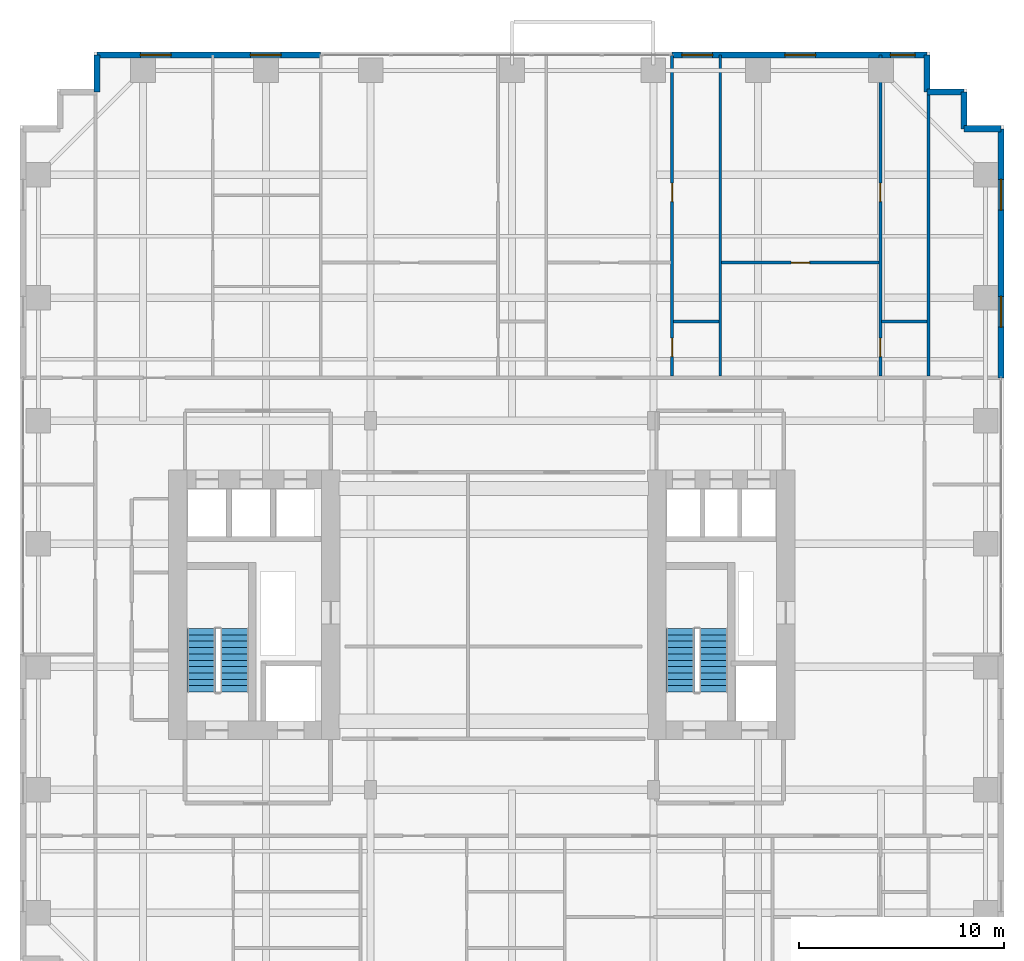
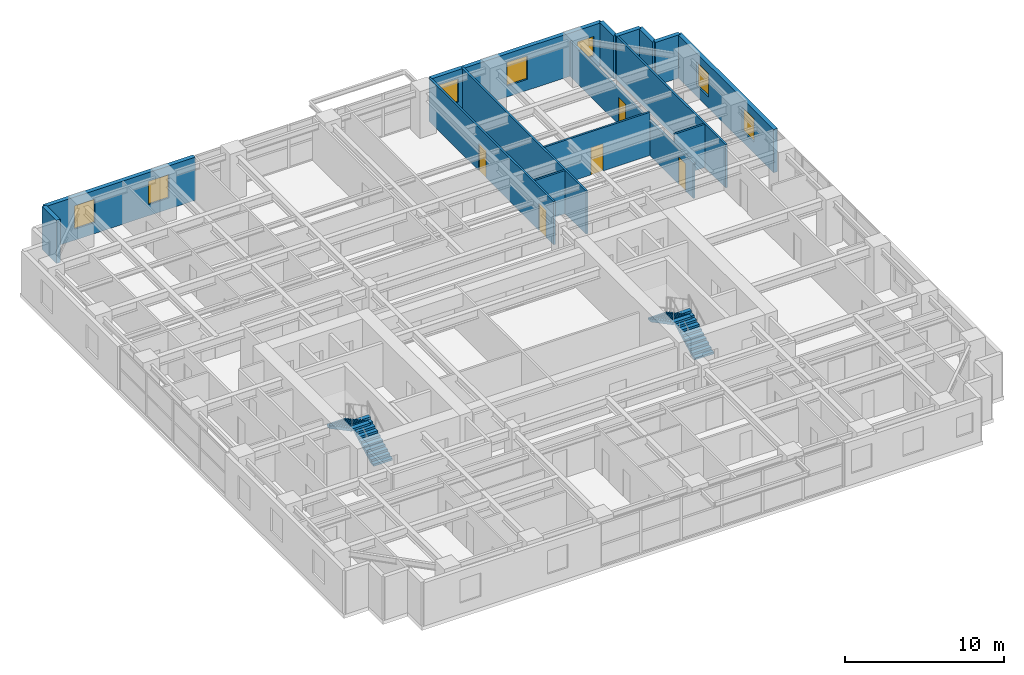
# One storey, part 23 of 24: 15 walls, 7 windows, 5 doors, 4 stair flights, 12 openings, 2 elements without a shape of their own.
"""IFC4 building model written with IfcOpenShell, lengths in metres."""

from ifc_helpers import new_model, si_unit, direction, frame, frame_2d, origin, place, context, subcontext, project, spatial, polyline, rectangle, outline, extrude, source, transform, mapped, material, layer, layer_set, type_object, element, fill, aggregate, save


model = new_model("IFC4")

# Units and contexts
model_context = context("Model", 3, precision=1e-05, world=origin(), true_north=direction((0.0, 1.0)))
body_context = subcontext(model_context, "Body", "Model", "MODEL_VIEW")
ifc_project = project(units=[si_unit("LENGTHUNIT", "METRE"), si_unit("AREAUNIT", "SQUARE_METRE"), si_unit("VOLUMEUNIT", "CUBIC_METRE"), si_unit("PLANEANGLEUNIT", "RADIAN"), si_unit("MASSUNIT", "GRAM", prefix="KILO")], contexts=[model_context])

# Site, building, storey
site_placement = place(None, origin())
site = spatial("IfcSite", under=ifc_project, at=site_placement, CompositionType="ELEMENT")
building_placement = place(site_placement, origin())
building = spatial("IfcBuilding", under=site, at=building_placement, Name="Khoralis Quay Care Tower", CompositionType="ELEMENT")
storey_placement = place(building_placement, frame((0.0, 0.0, 54.89990234375)))
storey = spatial("IfcBuildingStorey", under=building, at=storey_placement, Name="L14", CompositionType="ELEMENT", Elevation=54.89990234375)

# Wall, openings, windows
ifc_material_1 = material(Name="Precast concrete C45/55", Category="concrete")
ifc_layer_1 = layer(ifc_material_1, 0.300048828125)
ifc_layer_set_1 = layer_set([ifc_layer_1], Name="Precast concrete C45/55")
wall_type_1 = type_object("IfcWallType", Name="WL-EXT-REF-300", PredefinedType="SOLIDWALL", material=ifc_layer_set_1)
wall_1_placement = place(storey_placement, frame((47.85009765625, 32.10009765625, 0.0), z_axis=(0.0, 0.0, 1.0), x_axis=(0.0, 1.0, 0.0)))
wall_1 = element("IfcWall", 1, at=wall_1_placement, inside=storey, type_object=wall_type_1, Name="L14 External Facade Wall WL-EXT-L14-P1-E5B", PredefinedType="SOLIDWALL", context=body_context, shape_type="SweptSolid", body=[
    extrude(rectangle(XDim=12.14990234375, YDim=0.300048828125, at=frame_2d((6.074951171875, 0.0))), origin(), (0.0, 0.0, 1.0), 3.320068359375),
])
opening_1_placement = place(wall_1_placement, frame((2.467529296875, 0.0, 0.85009765625)))
opening_1 = element("IfcOpeningElement", 2, at=opening_1_placement, cuts=wall_1, Name="Opening W3", PredefinedType="OPENING", context=body_context, shape_type="SweptSolid", body=[
    extrude(rectangle(XDim=1.5, YDim=1.800048828125, at=frame_2d((0.75, 0.89990234375))), frame((0.0, 0.16015625, 0.0), z_axis=(0.0, -1.0, 0.0), x_axis=(1.0, 0.0, 0.0)), (0.0, 0.0, 1.0), 0.320068359375),
])
opening_2_placement = place(wall_1_placement, frame((8.1826171875, 0.0, 0.85009765625)))
opening_2 = element("IfcOpeningElement", 3, at=opening_2_placement, cuts=wall_1, Name="Opening W3", PredefinedType="OPENING", context=body_context, shape_type="SweptSolid", body=[
    extrude(rectangle(XDim=1.5, YDim=1.800048828125, at=frame_2d((0.75, 0.89990234375))), frame((0.0, 0.16015625, 0.0), z_axis=(0.0, -1.0, 0.0), x_axis=(1.0, 0.0, 0.0)), (0.0, 0.0, 1.0), 0.320068359375),
])
ifc_material_2 = material(Name="Low-E solar-control double glazing", Category="glass")
window_type_1 = type_object("IfcWindowType", Name="WN-CLIN-1500X1800", PartitioningType="SINGLE_PANEL", PredefinedType="WINDOW", material=ifc_material_2)
shared_shape_1 = source(origin(), body_context, "Body", "SweptSolid", [
    extrude(rectangle(XDim=1.5, YDim=1.800048828125, at=frame_2d((0.75, 0.89990234375))), frame((0.0, 0.030029296875, 0.0), z_axis=(0.0, -1.0, 0.0), x_axis=(1.0, 0.0, 0.0)), (0.0, 0.0, 1.0), 0.06005859375),
])
window_1_placement = place(opening_1_placement, origin())
window_1 = element("IfcWindow", 4, at=window_1_placement, inside=storey, type_object=window_type_1, Name="WN-L14-P1-E5B Facade Window 01", OverallHeight=1.800048828125, OverallWidth=1.5, PartitioningType="SINGLE_PANEL", PredefinedType="WINDOW", context=body_context, shape_type="MappedRepresentation", body=[
    mapped(shared_shape_1, transform((0.0, 0.0, 0.0), scale=1.0)),
])
fill(opening_1, window_1)
window_2_placement = place(opening_2_placement, origin())
window_2 = element("IfcWindow", 5, at=window_2_placement, inside=storey, type_object=window_type_1, Name="WN-L14-P1-E5B Facade Window 02", OverallHeight=1.800048828125, OverallWidth=1.5, PartitioningType="SINGLE_PANEL", PredefinedType="WINDOW", context=body_context, shape_type="MappedRepresentation", body=[
    mapped(shared_shape_1, transform((0.0, 0.0, 0.0), scale=1.0)),
])
fill(opening_2, window_2)

# Walls
for number, where, z_axis, x_axis, name in (
    (6, (47.85009765625, 44.25, 0.0), (0.0, 0.0, 1.0), (-1.0, 0.0, 0.0), "L14 External Facade Wall WL-EXT-L14-P1-C6"),
    (7, (46.050048828125, 44.25, 0.0), (0.0, 0.0, 1.0), (0.0, 1.0, 0.0), "L14 External Facade Wall WL-EXT-L14-P1-C7"),
    (8, (46.050048828125, 46.050048828125, 0.0), (0.0, 0.0, 1.0), (-1.0, 0.0, 0.0), "L14 External Facade Wall WL-EXT-L14-P1-C8"),
    (9, (44.25, 46.050048828125, 0.0), (0.0, 0.0, 1.0), (0.0, 1.0, 0.0), "L14 External Facade Wall WL-EXT-L14-P1-C9"),
):
    element("IfcWall", number, at=place(storey_placement, frame(where, z_axis=z_axis, x_axis=x_axis)), inside=storey, type_object=wall_type_1, Name=name, PredefinedType="SOLIDWALL", context=body_context, shape_type="SweptSolid", body=[
        extrude(rectangle(XDim=1.800048828125, YDim=0.300048828125, at=frame_2d((0.89990234375, 0.0))), origin(), (0.0, 0.0, 1.0), 3.320068359375),
    ])

# Wall, openings, windows
wall_2_placement = place(storey_placement, frame((44.25, 47.85009765625, 0.0), z_axis=(0.0, 0.0, 1.0), x_axis=(-1.0, 0.0, 0.0)))
wall_2 = element("IfcWall", 10, at=wall_2_placement, inside=storey, type_object=wall_type_1, Name="L14 External Facade Wall WL-EXT-L14-P1-E10A", PredefinedType="SOLIDWALL", context=body_context, shape_type="SweptSolid", body=[
    extrude(rectangle(XDim=12.43994140625, YDim=0.300048828125, at=frame_2d((6.219970703125, 0.0))), origin(), (0.0, 0.0, 1.0), 3.320068359375),
])
opening_3_placement = place(wall_2_placement, frame((0.590087890625, 0.0, 0.949951171875)))
opening_3 = element("IfcOpeningElement", 11, at=opening_3_placement, cuts=wall_2, Name="Opening W6", PredefinedType="OPENING", context=body_context, shape_type="SweptSolid", body=[
    extrude(rectangle(XDim=1.199951171875, YDim=1.5, at=frame_2d((0.60009765625, 0.75))), frame((0.0, 0.16015625, 0.0), z_axis=(0.0, -1.0, 0.0), x_axis=(1.0, 0.0, 0.0)), (0.0, 0.0, 1.0), 0.320068359375),
])
opening_4_placement = place(wall_2_placement, frame((5.43505859375, 0.0, 0.85009765625)))
opening_4 = element("IfcOpeningElement", 12, at=opening_4_placement, cuts=wall_2, Name="Opening W3", PredefinedType="OPENING", context=body_context, shape_type="SweptSolid", body=[
    extrude(rectangle(XDim=1.5, YDim=1.800048828125, at=frame_2d((0.75, 0.89990234375))), frame((0.0, 0.16015625, 0.0), z_axis=(0.0, -1.0, 0.0), x_axis=(1.0, 0.0, 0.0)), (0.0, 0.0, 1.0), 0.320068359375),
])
opening_5_placement = place(wall_2_placement, frame((10.465087890625, 0.0, 0.85009765625)))
opening_5 = element("IfcOpeningElement", 13, at=opening_5_placement, cuts=wall_2, Name="Opening W3", PredefinedType="OPENING", context=body_context, shape_type="SweptSolid", body=[
    extrude(rectangle(XDim=1.5, YDim=1.800048828125, at=frame_2d((0.75, 0.89990234375))), frame((0.0, 0.16015625, 0.0), z_axis=(0.0, -1.0, 0.0), x_axis=(1.0, 0.0, 0.0)), (0.0, 0.0, 1.0), 0.320068359375),
])
window_3_placement = place(opening_4_placement, origin())
window_3 = element("IfcWindow", 14, at=window_3_placement, inside=storey, type_object=window_type_1, Name="WN-L14-P1-E10A Facade Window 02", OverallHeight=1.800048828125, OverallWidth=1.5, PartitioningType="SINGLE_PANEL", PredefinedType="WINDOW", context=body_context, shape_type="MappedRepresentation", body=[
    mapped(shared_shape_1, transform((0.0, 0.0, 0.0), scale=1.0)),
])
fill(opening_4, window_3)
window_4_placement = place(opening_5_placement, origin())
window_4 = element("IfcWindow", 15, at=window_4_placement, inside=storey, type_object=window_type_1, Name="WN-L14-P1-E10A Facade Window 03", OverallHeight=1.800048828125, OverallWidth=1.5, PartitioningType="SINGLE_PANEL", PredefinedType="WINDOW", context=body_context, shape_type="MappedRepresentation", body=[
    mapped(shared_shape_1, transform((0.0, 0.0, 0.0), scale=1.0)),
])
fill(opening_5, window_4)
window_type_2 = type_object("IfcWindowType", Name="WN-SCH-1200X1500", PartitioningType="SINGLE_PANEL", PredefinedType="WINDOW", material=ifc_material_2)
shared_shape_2 = source(origin(), body_context, "Body", "SweptSolid", [
    extrude(rectangle(XDim=1.199951171875, YDim=1.5, at=frame_2d((0.60009765625, 0.75))), frame((0.0, 0.030029296875, 0.0), z_axis=(0.0, -1.0, 0.0), x_axis=(1.0, 0.0, 0.0)), (0.0, 0.0, 1.0), 0.06005859375),
])
window_5_placement = place(opening_3_placement, origin())
window_5 = element("IfcWindow", 16, at=window_5_placement, inside=storey, type_object=window_type_2, Name="WN-L14-P1-E10A Facade Window 01", OverallHeight=1.5, OverallWidth=1.199951171875, PartitioningType="SINGLE_PANEL", PredefinedType="WINDOW", context=body_context, shape_type="MappedRepresentation", body=[
    mapped(shared_shape_2, transform((0.0, 0.0, 0.0), scale=1.0)),
])
fill(opening_3, window_5)

wall_3_placement = place(storey_placement, frame((14.669921875, 47.85009765625, 0.0), z_axis=(0.0, 0.0, 1.0), x_axis=(-1.0, 0.0, 0.0)))
wall_3 = element("IfcWall", 17, at=wall_3_placement, inside=storey, type_object=wall_type_1, Name="L14 External Facade Wall WL-EXT-L14-P1-E10B", PredefinedType="SOLIDWALL", context=body_context, shape_type="SweptSolid", body=[
    extrude(rectangle(XDim=10.919921875, YDim=0.300048828125, at=frame_2d((5.4599609375, 0.0))), origin(), (0.0, 0.0, 1.0), 3.320068359375),
])
opening_6_placement = place(wall_3_placement, frame((1.9375, 0.0, 0.85009765625)))
opening_6 = element("IfcOpeningElement", 18, at=opening_6_placement, cuts=wall_3, Name="Opening W3", PredefinedType="OPENING", context=body_context, shape_type="SweptSolid", body=[
    extrude(rectangle(XDim=1.5, YDim=1.800048828125, at=frame_2d((0.75, 0.89990234375))), frame((0.0, 0.16015625, 0.0), z_axis=(0.0, -1.0, 0.0), x_axis=(1.0, 0.0, 0.0)), (0.0, 0.0, 1.0), 0.320068359375),
])
opening_7_placement = place(wall_3_placement, frame((7.297607421875, 0.0, 0.85009765625)))
opening_7 = element("IfcOpeningElement", 19, at=opening_7_placement, cuts=wall_3, Name="Opening W3", PredefinedType="OPENING", context=body_context, shape_type="SweptSolid", body=[
    extrude(rectangle(XDim=1.5, YDim=1.800048828125, at=frame_2d((0.75, 0.89990234375))), frame((0.0, 0.16015625, 0.0), z_axis=(0.0, -1.0, 0.0), x_axis=(1.0, 0.0, 0.0)), (0.0, 0.0, 1.0), 0.320068359375),
])
window_6_placement = place(opening_6_placement, origin())
window_6 = element("IfcWindow", 20, at=window_6_placement, inside=storey, type_object=window_type_1, Name="WN-L14-P1-E10B Facade Window 01", OverallHeight=1.800048828125, OverallWidth=1.5, PartitioningType="SINGLE_PANEL", PredefinedType="WINDOW", context=body_context, shape_type="MappedRepresentation", body=[
    mapped(shared_shape_1, transform((0.0, 0.0, 0.0), scale=1.0)),
])
fill(opening_6, window_6)
window_7_placement = place(opening_7_placement, origin())
window_7 = element("IfcWindow", 21, at=window_7_placement, inside=storey, type_object=window_type_1, Name="WN-L14-P1-E10B Facade Window 02", OverallHeight=1.800048828125, OverallWidth=1.5, PartitioningType="SINGLE_PANEL", PredefinedType="WINDOW", context=body_context, shape_type="MappedRepresentation", body=[
    mapped(shared_shape_1, transform((0.0, 0.0, 0.0), scale=1.0)),
])
fill(opening_7, window_7)

# Wall
wall_4_placement = place(storey_placement, frame((3.75, 47.85009765625, 0.0), z_axis=(0.0, 0.0, 1.0), x_axis=(0.0, -1.0, 0.0)))
element("IfcWall", 22, at=wall_4_placement, inside=storey, type_object=wall_type_1, Name="L14 External Facade Wall WL-EXT-L14-P1-C11", PredefinedType="SOLIDWALL", context=body_context, shape_type="SweptSolid", body=[
    extrude(rectangle(XDim=1.800048828125, YDim=0.300048828125, at=frame_2d((0.89990234375, 0.0))), origin(), (0.0, 0.0, 1.0), 3.320068359375),
])

# Wall, openings, doors
ifc_material_3 = material(Name="Moisture-resistant gypsum and ceramic tile")
ifc_layer_2 = layer(ifc_material_3, 0.280029296875)
ifc_layer_set_2 = layer_set([ifc_layer_2], Name="Moisture-resistant gypsum and ceramic tile")
wall_type_2 = type_object("IfcWallType", Name="WL-PLUMB-280", PredefinedType="PLUMBINGWALL", material=ifc_layer_set_2)
wall_5_placement = place(storey_placement, frame((31.81005859375, 32.177490234375, 0.0), z_axis=(0.0, 0.0, 1.0), x_axis=(0.0, 1.0, 0.0)))
wall_5 = element("IfcWall", 23, at=wall_5_placement, inside=storey, type_object=wall_type_2, Name="L14 Care Suite 2 En-Suite Wall V", PredefinedType="PLUMBINGWALL", context=body_context, shape_type="SweptSolid", body=[
    extrude(rectangle(XDim=15.677490234375, YDim=0.139892578125, at=frame_2d((7.8388671875, 0.0))), origin(), (0.0, 0.0, 1.0), 3.320068359375),
])
opening_8_placement = place(wall_5_placement, frame((0.96240234375, 0.0, 0.0)))
opening_8 = element("IfcOpeningElement", 24, at=opening_8_placement, cuts=wall_5, Name="Opening WD1", PredefinedType="OPENING", context=body_context, shape_type="SweptSolid", body=[
    extrude(rectangle(XDim=0.89990234375, YDim=2.10009765625, at=frame_2d((0.449951171875, 1.050048828125))), frame((0.0, 0.080078125, 0.0), z_axis=(0.0, -1.0, 0.0), x_axis=(1.0, 0.0, 0.0)), (0.0, 0.0, 1.0), 0.159912109375),
])
opening_9_placement = place(wall_5_placement, frame((8.5224609375, 0.0, 0.0)))
opening_9 = element("IfcOpeningElement", 25, at=opening_9_placement, cuts=wall_5, Name="Opening WD1", PredefinedType="OPENING", context=body_context, shape_type="SweptSolid", body=[
    extrude(rectangle(XDim=0.89990234375, YDim=2.10009765625, at=frame_2d((0.449951171875, 1.050048828125))), frame((0.0, 0.080078125, 0.0), z_axis=(0.0, -1.0, 0.0), x_axis=(1.0, 0.0, 0.0)), (0.0, 0.0, 1.0), 0.159912109375),
])
ifc_material_4 = material(Name="Acoustic hardwood timber", Category="wood")
door_type = type_object("IfcDoorType", Name="DR-BATH-900X2100", OperationType="NOTDEFINED", PredefinedType="DOOR", material=ifc_material_4)
shared_shape_3 = source(origin(), body_context, "Body", "SweptSolid", [
    extrude(rectangle(XDim=0.89990234375, YDim=2.10009765625, at=frame_2d((0.449951171875, 1.050048828125))), frame((0.0, 0.02490234375, 0.0), z_axis=(0.0, -1.0, 0.0), x_axis=(1.0, 0.0, 0.0)), (0.0, 0.0, 1.0), 0.050048828125),
])
door_1_placement = place(opening_8_placement, frame((0.89990234375, 0.0, 0.0), z_axis=(0.0, 0.0, 1.0), x_axis=(-1.0, 0.0, 0.0)))
door_1 = element("IfcDoor", 26, at=door_1_placement, inside=storey, type_object=door_type, Name="L14 Care CENS Door", OperationType="SINGLE_SWING_LEFT", OverallHeight=2.10009765625, OverallWidth=0.89990234375, PredefinedType="DOOR", context=body_context, shape_type="MappedRepresentation", body=[
    mapped(shared_shape_3, transform((0.0, 0.0, 0.0), scale=1.0)),
])
fill(opening_8, door_1)
door_2_placement = place(opening_9_placement, frame((0.89990234375, 0.0, 0.0), z_axis=(0.0, 0.0, 1.0), x_axis=(-1.0, 0.0, 0.0)))
door_2 = element("IfcDoor", 27, at=door_2_placement, inside=storey, type_object=door_type, Name="L14 Care CSIT Door", OperationType="SINGLE_SWING_RIGHT", OverallHeight=2.10009765625, OverallWidth=0.89990234375, PredefinedType="DOOR", context=body_context, shape_type="MappedRepresentation", body=[
    mapped(shared_shape_3, transform((0.0, 0.0, 0.0), scale=1.0)),
])
fill(opening_9, door_2)

# Wall
wall_6_placement = place(storey_placement, frame((31.875, 34.85009765625, 0.0), z_axis=(0.0, 0.0, 1.0), x_axis=(1.0, 0.0, 0.0)))
element("IfcWall", 28, at=wall_6_placement, inside=storey, type_object=wall_type_2, Name="L14 Care Suite 2 En-Suite Wall H", PredefinedType="PLUMBINGWALL", context=body_context, shape_type="SweptSolid", body=[
    extrude(rectangle(XDim=2.219970703125, YDim=0.139892578125, at=frame_2d((1.10986328125, 0.0))), origin(), (0.0, 0.0, 1.0), 3.320068359375),
])

# Wall, openings, doors
wall_7_placement = place(storey_placement, frame((41.969970703125, 32.177490234375, 0.0), z_axis=(0.0, 0.0, 1.0), x_axis=(0.0, 1.0, 0.0)))
wall_7 = element("IfcWall", 29, at=wall_7_placement, inside=storey, type_object=wall_type_2, Name="L14 Care Suite 3 En-Suite Wall V", PredefinedType="PLUMBINGWALL", context=body_context, shape_type="SweptSolid", body=[
    extrude(rectangle(XDim=15.677490234375, YDim=0.139892578125, at=frame_2d((7.8388671875, 0.0))), origin(), (0.0, 0.0, 1.0), 2.7041015625),
])
opening_10_placement = place(wall_7_placement, frame((0.96240234375, 0.0, 0.0)))
opening_10 = element("IfcOpeningElement", 30, at=opening_10_placement, cuts=wall_7, Name="Opening WD1", PredefinedType="OPENING", context=body_context, shape_type="SweptSolid", body=[
    extrude(rectangle(XDim=0.89990234375, YDim=2.10009765625, at=frame_2d((0.449951171875, 1.050048828125))), frame((0.0, 0.080078125, 0.0), z_axis=(0.0, -1.0, 0.0), x_axis=(1.0, 0.0, 0.0)), (0.0, 0.0, 1.0), 0.159912109375),
])
opening_11_placement = place(wall_7_placement, frame((8.5224609375, 0.0, 0.0)))
opening_11 = element("IfcOpeningElement", 31, at=opening_11_placement, cuts=wall_7, Name="Opening WD1", PredefinedType="OPENING", context=body_context, shape_type="SweptSolid", body=[
    extrude(rectangle(XDim=0.89990234375, YDim=2.10009765625, at=frame_2d((0.449951171875, 1.050048828125))), frame((0.0, 0.080078125, 0.0), z_axis=(0.0, -1.0, 0.0), x_axis=(1.0, 0.0, 0.0)), (0.0, 0.0, 1.0), 0.159912109375),
])
door_3_placement = place(opening_10_placement, frame((0.89990234375, 0.0, 0.0), z_axis=(0.0, 0.0, 1.0), x_axis=(-1.0, 0.0, 0.0)))
door_3 = element("IfcDoor", 32, at=door_3_placement, inside=storey, type_object=door_type, Name="L14 Care CENS Door", OperationType="SINGLE_SWING_RIGHT", OverallHeight=2.10009765625, OverallWidth=0.89990234375, PredefinedType="DOOR", context=body_context, shape_type="MappedRepresentation", body=[
    mapped(shared_shape_3, transform((0.0, 0.0, 0.0), scale=1.0)),
])
fill(opening_10, door_3)
door_4_placement = place(opening_11_placement, frame((0.89990234375, 0.0, 0.0), z_axis=(0.0, 0.0, 1.0), x_axis=(-1.0, 0.0, 0.0)))
door_4 = element("IfcDoor", 33, at=door_4_placement, inside=storey, type_object=door_type, Name="L14 Care CSIT Door", OperationType="SINGLE_SWING_LEFT", OverallHeight=2.10009765625, OverallWidth=0.89990234375, PredefinedType="DOOR", context=body_context, shape_type="MappedRepresentation", body=[
    mapped(shared_shape_3, transform((0.0, 0.0, 0.0), scale=1.0)),
])
fill(opening_11, door_4)

# Walls
wall_8_placement = place(storey_placement, frame((42.034912109375, 34.85009765625, 0.0), z_axis=(0.0, 0.0, 1.0), x_axis=(1.0, 0.0, 0.0)))
element("IfcWall", 34, at=wall_8_placement, inside=storey, type_object=wall_type_2, Name="L14 Care Suite 3 En-Suite Wall H", PredefinedType="PLUMBINGWALL", context=body_context, shape_type="SweptSolid", body=[
    extrude(rectangle(XDim=2.219970703125, YDim=0.139892578125, at=frame_2d((1.10986328125, 0.0))), origin(), (0.0, 0.0, 1.0), 3.320068359375),
])
ifc_material_5 = material(Name="Gypsum plasterboard on acoustic metal stud")
ifc_layer_3 = layer(ifc_material_5, 0.139892578125)
ifc_layer_set_3 = layer_set([ifc_layer_3], Name="Gypsum plasterboard on acoustic metal stud")
wall_type_3 = type_object("IfcWallType", Name="WL-UNIT-140", PredefinedType="PARTITIONING", material=ifc_layer_set_3)
wall_9_placement = place(storey_placement, frame((34.159912109375, 32.177490234375, 0.0), z_axis=(0.0, 0.0, 1.0), x_axis=(0.0, 1.0, 0.0)))
element("IfcWall", 35, at=wall_9_placement, inside=storey, type_object=wall_type_3, Name="L14 NB Demising Wall 3", PredefinedType="PARTITIONING", context=body_context, shape_type="SweptSolid", body=[
    extrude(rectangle(XDim=15.677490234375, YDim=0.139892578125, at=frame_2d((7.8388671875, 0.0))), origin(), (0.0, 0.0, 1.0), 3.320068359375),
])
wall_10_placement = place(storey_placement, frame((44.320068359375, 32.177490234375, 0.0), z_axis=(0.0, 0.0, 1.0), x_axis=(0.0, 1.0, 0.0)))
element("IfcWall", 36, at=wall_10_placement, inside=storey, type_object=wall_type_3, Name="L14 NB Demising Wall 4", PredefinedType="PARTITIONING", context=body_context, shape_type="SweptSolid", body=[
    extrude(rectangle(XDim=13.87744140625, YDim=0.139892578125, at=frame_2d((6.938720703125, 0.0))), origin(), (0.0, 0.0, 1.0), 3.320068359375),
])

# Wall, opening, door
wall_11_placement = place(storey_placement, frame((34.22509765625, 37.719970703125, 0.0), z_axis=(0.0, 0.0, 1.0), x_axis=(1.0, 0.0, 0.0)))
wall_11 = element("IfcWall", 37, at=wall_11_placement, inside=storey, type_object=wall_type_3, Name="Skilled Care Bedroom L14-NB3 Sub-Partition", PredefinedType="PARTITIONING", context=body_context, shape_type="SweptSolid", body=[
    extrude(rectangle(XDim=7.679931640625, YDim=0.139892578125, at=frame_2d((3.83984375, 0.0))), origin(), (0.0, 0.0, 1.0), 3.320068359375),
])
opening_12_placement = place(wall_11_placement, frame((3.389892578125, 0.0, 0.0)))
opening_12 = element("IfcOpeningElement", 38, at=opening_12_placement, cuts=wall_11, Name="Opening WD1", PredefinedType="OPENING", context=body_context, shape_type="SweptSolid", body=[
    extrude(rectangle(XDim=0.89990234375, YDim=2.10009765625, at=frame_2d((0.449951171875, 1.050048828125))), frame((0.0, 0.080078125, 0.0), z_axis=(0.0, -1.0, 0.0), x_axis=(1.0, 0.0, 0.0)), (0.0, 0.0, 1.0), 0.159912109375),
])
door_5_placement = place(opening_12_placement, frame((0.89990234375, 0.0, 0.0), z_axis=(0.0, 0.0, 1.0), x_axis=(-1.0, 0.0, 0.0)))
door_5 = element("IfcDoor", 39, at=door_5_placement, inside=storey, type_object=door_type, Name="Private Study & Reading Alcove ARE3 Door", OperationType="SINGLE_SWING_LEFT", OverallHeight=2.10009765625, OverallWidth=0.89990234375, PredefinedType="DOOR", context=body_context, shape_type="MappedRepresentation", body=[
    mapped(shared_shape_3, transform((0.0, 0.0, 0.0), scale=1.0)),
])
fill(opening_12, door_5)

# Stair, stair flights
stair_type = type_object("IfcStairType", Name="ST-TWR-DOGLEG-1400", PredefinedType="HALF_TURN_STAIR", material=ifc_material_1)
stair_1_placement = place(storey_placement, origin())
stair_1 = element("IfcStair", 40, at=stair_1_placement, inside=storey, type_object=stair_type, Name="L14 West Core Exit Stair ST-T1", PredefinedType="HALF_TURN_STAIR")
stair_flight_type = type_object("IfcStairFlightType", Name="SF-TWR-1400", PredefinedType="STRAIGHT", material=ifc_material_1)
shared_shape_4 = source(origin(), body_context, "Body", "SweptSolid", [
    extrude(outline(polyline([(0.0, 0.0), (0.0, 0.16357421875), (0.31005859375, 0.16357421875), (0.31005859375, 0.327392578125), (0.6201171875, 0.327392578125), (0.6201171875, 0.490966796875), (0.929931640625, 0.490966796875), (0.929931640625, 0.654541015625), (1.239990234375, 0.654541015625), (1.239990234375, 0.818115234375), (1.550048828125, 0.818115234375), (1.550048828125, 0.98193359375), (1.860107421875, 0.98193359375), (1.860107421875, 1.1455078125), (2.169921875, 1.1455078125), (2.169921875, 1.30908203125), (2.47998046875, 1.30908203125), (2.47998046875, 1.47265625), (2.7900390625, 1.47265625), (2.7900390625, 1.636474609375), (3.10009765625, 1.636474609375), (3.10009765625, 1.800048828125), (3.10009765625, 1.466796875), (0.321044921875, 0.0), (0.0, 0.0)])), frame((0.0, 0.68994140625, 0.0), z_axis=(0.0, -1.0, 0.0), x_axis=(1.0, 0.0, 0.0)), (0.0, 0.0, 1.0), 1.3798828125),
])
stair_flight_1_placement = place(storey_placement, frame((10.4599609375, 16.77001953125, 0.0), z_axis=(0.0, 0.0, 1.0), x_axis=(0.0, 1.0, 0.0)))
stair_flight_1 = element("IfcStairFlight", 41, at=stair_flight_1_placement, type_object=stair_flight_type, Name="ST-T1 flight 1", NumberOfRisers=11, NumberOfTreads=10, PredefinedType="STRAIGHT", RiserHeight=0.163636364, TreadLength=0.31, context=body_context, shape_type="MappedRepresentation", body=[
    mapped(shared_shape_4, transform((0.0, 0.0, 0.0), scale=1.0)),
])
stair_flight_2_placement = place(storey_placement, frame((8.840087890625, 19.8701171875, 1.800048828125), z_axis=(0.0, 0.0, 1.0), x_axis=(0.0, -1.0, 0.0)))
stair_flight_2 = element("IfcStairFlight", 42, at=stair_flight_2_placement, type_object=stair_flight_type, Name="ST-T1 flight 2", NumberOfRisers=11, NumberOfTreads=10, PredefinedType="STRAIGHT", RiserHeight=0.163636364, TreadLength=0.31, context=body_context, shape_type="MappedRepresentation", body=[
    mapped(shared_shape_4, transform((0.0, 0.0, 0.0), scale=1.0)),
])
aggregate(stair_1, [stair_flight_1, stair_flight_2])

stair_2_placement = place(storey_placement, origin())
stair_2 = element("IfcStair", 43, at=stair_2_placement, inside=storey, type_object=stair_type, Name="L14 East Core Exit Stair ST-T2", PredefinedType="HALF_TURN_STAIR")
stair_flight_3_placement = place(storey_placement, frame((33.830078125, 16.77001953125, 0.0), z_axis=(0.0, 0.0, 1.0), x_axis=(0.0, 1.0, 0.0)))
stair_flight_3 = element("IfcStairFlight", 44, at=stair_flight_3_placement, type_object=stair_flight_type, Name="ST-T2 flight 1", NumberOfRisers=11, NumberOfTreads=10, PredefinedType="STRAIGHT", RiserHeight=0.163636364, TreadLength=0.31, context=body_context, shape_type="MappedRepresentation", body=[
    mapped(shared_shape_4, transform((0.0, 0.0, 0.0), scale=1.0)),
])
stair_flight_4_placement = place(storey_placement, frame((32.2099609375, 19.8701171875, 1.800048828125), z_axis=(0.0, 0.0, 1.0), x_axis=(0.0, -1.0, 0.0)))
stair_flight_4 = element("IfcStairFlight", 45, at=stair_flight_4_placement, type_object=stair_flight_type, Name="ST-T2 flight 2", NumberOfRisers=11, NumberOfTreads=10, PredefinedType="STRAIGHT", RiserHeight=0.163636364, TreadLength=0.31, context=body_context, shape_type="MappedRepresentation", body=[
    mapped(shared_shape_4, transform((0.0, 0.0, 0.0), scale=1.0)),
])
aggregate(stair_2, [stair_flight_3, stair_flight_4])

save(model, "model.ifc")
